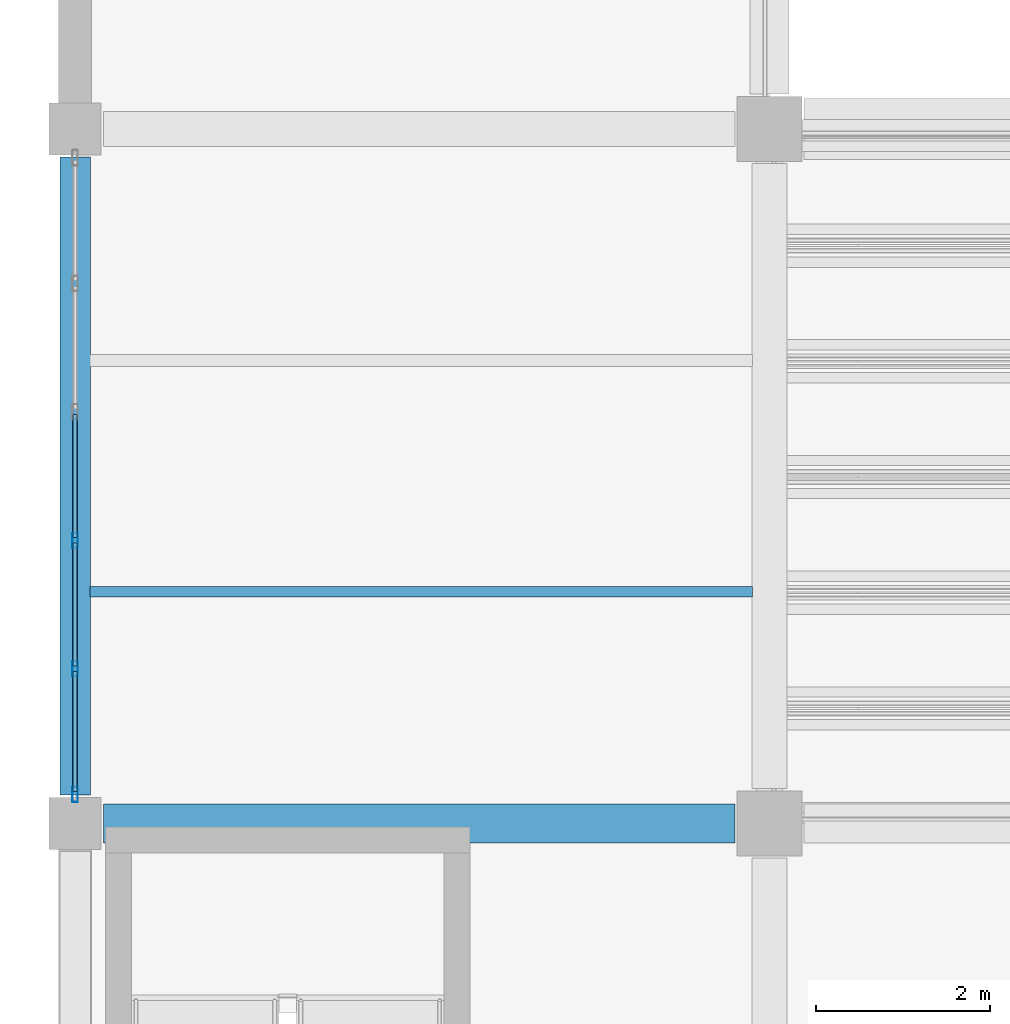
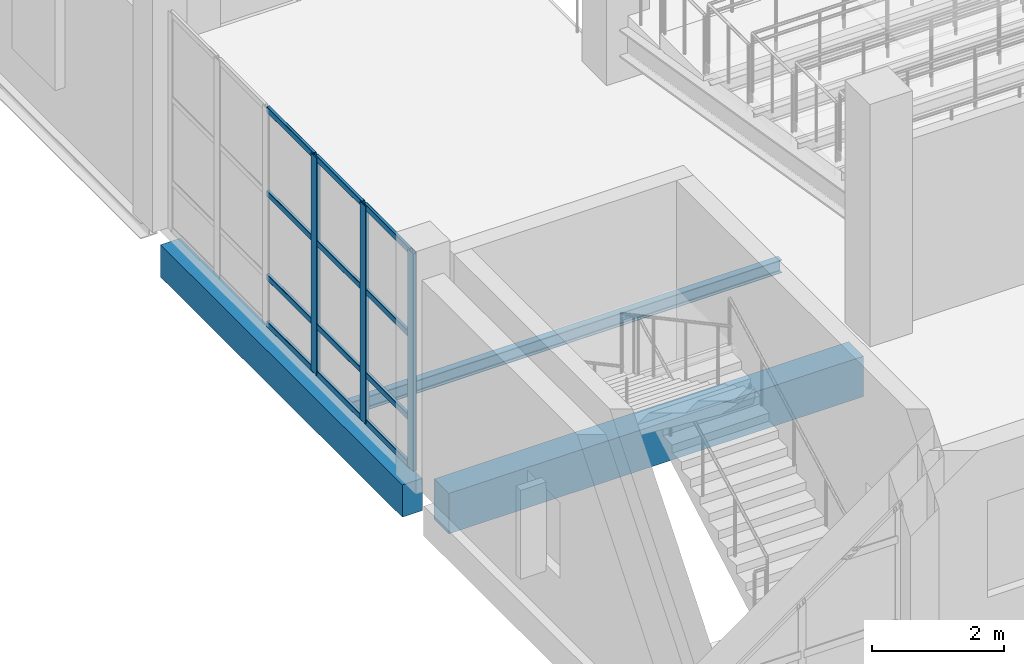
# One storey, part 38 of 183: 15 members, 3 beams, 1 element without a shape of its own.
"""IFC4 building model written with IfcOpenShell, lengths in metres."""

from ifc_helpers import new_model, si_unit, direction, frame, origin, origin_2d, place, context, subcontext, project, spatial, rectangle, hollow_rectangle, i_section, extrude, material, material_profile, profile_set, type_object, element, aggregate, save


model = new_model("IFC4")

# Units and contexts
model_context = context("Model", 3, precision=1e-05, world=origin(), true_north=direction((0.0, 1.0)))
body_context = subcontext(model_context, "Body", "Model", "MODEL_VIEW")
ifc_project = project(units=[si_unit("LENGTHUNIT", "METRE"), si_unit("AREAUNIT", "SQUARE_METRE"), si_unit("VOLUMEUNIT", "CUBIC_METRE"), si_unit("PLANEANGLEUNIT", "RADIAN"), si_unit("MASSUNIT", "GRAM", prefix="KILO")], contexts=[model_context])

# Site, building, storey
site_placement = place(None, origin())
site = spatial("IfcSite", under=ifc_project, at=site_placement, CompositionType="ELEMENT")
building_placement = place(site_placement, origin())
building = spatial("IfcBuilding", under=site, at=building_placement, Name="Luwemba Playhouse", CompositionType="ELEMENT")
storey_placement = place(building_placement, frame((0.0, 0.0, 4.800048828125)))
storey = spatial("IfcBuildingStorey", under=building, at=storey_placement, Name="L01", CompositionType="ELEMENT", Elevation=4.800048828125)

# Beams
ifc_material_1 = material(Name="Concrete C40/50", Category="concrete")
ifc_material_profile_1 = material_profile(ifc_material_1, rectangle(XDim=0.449951171875, YDim=0.75, at=origin_2d()))
ifc_profile_set_1 = profile_set([ifc_material_profile_1], Name="Concrete C40/50")
beam_type_1 = type_object("IfcBeamType", Name="BM-RB04", PredefinedType="BEAM", material=ifc_profile_set_1)
beam_1_placement = place(storey_placement, frame((4.324951171875, 44.0, -0.625), z_axis=(1.0, 0.0, 0.0), x_axis=(0.0, 1.0, 0.0)))
element("IfcBeam", 1, at=beam_1_placement, inside=storey, type_object=beam_type_1, Name="L01 grid girder 0345", PredefinedType="BEAM", context=body_context, shape_type="SweptSolid", body=[
    extrude(rectangle(XDim=0.449951171875, YDim=0.75, at=origin_2d()), origin(), (0.0, 0.0, 1.0), 7.275146484375),
])
ifc_material_2 = material(Name="Steel S355", Category="steel")
ifc_material_profile_2 = material_profile(ifc_material_2, i_section(OverallWidth=0.1201171875, OverallDepth=0.239990234375, WebThickness=0.006103515625, FlangeThickness=0.009765625, FilletRadius=0.014892578125, at=origin_2d()))
ifc_profile_set_2 = profile_set([ifc_material_profile_2], Name="Steel S355")
beam_type_2 = type_object("IfcBeamType", Name="BM-SJ03", PredefinedType="JOIST", material=ifc_profile_set_2)
beam_2_placement = place(storey_placement, frame((4.1708984375, 46.666748046875, -0.3701171875), z_axis=(1.0, 0.0, 0.0), x_axis=(0.0, 1.0, 0.0)))
element("IfcBeam", 2, at=beam_2_placement, inside=storey, type_object=beam_type_2, Name="L01 composite floor joist 0238", PredefinedType="JOIST", context=body_context, shape_type="SweptSolid", body=[
    extrude(i_section(OverallWidth=0.1201171875, OverallDepth=0.239990234375, WebThickness=0.006103515625, FlangeThickness=0.009765625, FilletRadius=0.014892578125, at=origin_2d()), origin(), (0.0, 0.0, 1.0), 7.633056640625),
])
ifc_material_profile_3 = material_profile(ifc_material_1, rectangle(XDim=0.35009765625, YDim=0.60009765625, at=origin_2d()))
ifc_profile_set_3 = profile_set([ifc_material_profile_3], Name="Concrete C40/50")
beam_type_3 = type_object("IfcBeamType", Name="BM-SP3", PredefinedType="SPANDREL", material=ifc_profile_set_3)
beam_3_placement = place(storey_placement, frame((4.0, 44.324951171875, -0.550048828125), z_axis=(0.0, 1.0, 0.0), x_axis=(-1.0, 0.0, 0.0)))
element("IfcBeam", 3, at=beam_3_placement, inside=storey, type_object=beam_type_3, Name="L01 transverse girder 0357", PredefinedType="SPANDREL", context=body_context, shape_type="SweptSolid", body=[
    extrude(rectangle(XDim=0.35009765625, YDim=0.60009765625, at=origin_2d()), origin(), (0.0, 0.0, 1.0), 7.35009765625),
])

# Curtain wall, members
ifc_material_3 = material(Name="Solar-control double glazing", Category="glass")
curtain_wall_type = type_object("IfcCurtainWallType", Name="CW-CW71", PredefinedType="USERDEFINED", material=ifc_material_3)
curtain_wall_placement = place(storey_placement, origin())
curtain_wall = element("IfcCurtainWall", 4, at=curtain_wall_placement, inside=storey, type_object=curtain_wall_type, Name="L01 V1 unitised curtain wall 095", ObjectType="UNITISED GLAZING", PredefinedType="USERDEFINED")
ifc_material_4 = material(Name="Aluminium 6063-T6", Category="aluminium")
ifc_material_profile_4 = material_profile(ifc_material_4, hollow_rectangle(XDim=0.06494140625, YDim=0.179931640625, WallThickness=0.00439453125, InnerFilletRadius=0.0068359375, OuterFilletRadius=0.01123046875, at=origin_2d()))
ifc_profile_set_4 = profile_set([ifc_material_profile_4], Name="Aluminium 6063-T6")
member_type_1 = type_object("IfcMemberType", Name="CWM-M2", PredefinedType="MULLION", material=ifc_profile_set_4)
member_1_placement = place(storey_placement, frame((4.0, 44.33251953125, 0.0), z_axis=(0.0, 0.0, 1.0), x_axis=(-1.0, 0.0, 0.0)))
member_1 = element("IfcMember", 5, at=member_1_placement, type_object=member_type_1, Name="CW71 mullion 1", PredefinedType="MULLION", context=body_context, shape_type="SweptSolid", body=[
    extrude(hollow_rectangle(XDim=0.06494140625, YDim=0.179931640625, WallThickness=0.00439453125, InnerFilletRadius=0.0068359375, OuterFilletRadius=0.01123046875, at=origin_2d()), origin(), (0.0, 0.0, 1.0), 4.034912109375),
])
member_2_placement = place(storey_placement, frame((4.0, 45.780029296875, 0.0), z_axis=(0.0, 0.0, 1.0), x_axis=(-1.0, 0.0, 0.0)))
member_2 = element("IfcMember", 6, at=member_2_placement, type_object=member_type_1, Name="CW71 mullion 2", PredefinedType="MULLION", context=body_context, shape_type="SweptSolid", body=[
    extrude(hollow_rectangle(XDim=0.06494140625, YDim=0.179931640625, WallThickness=0.00439453125, InnerFilletRadius=0.0068359375, OuterFilletRadius=0.01123046875, at=origin_2d()), origin(), (0.0, 0.0, 1.0), 4.034912109375),
])
member_3_placement = place(storey_placement, frame((4.0, 47.260009765625, 0.0), z_axis=(0.0, 0.0, 1.0), x_axis=(-1.0, 0.0, 0.0)))
member_3 = element("IfcMember", 7, at=member_3_placement, type_object=member_type_1, Name="CW71 mullion 3", PredefinedType="MULLION", context=body_context, shape_type="SweptSolid", body=[
    extrude(hollow_rectangle(XDim=0.06494140625, YDim=0.179931640625, WallThickness=0.00439453125, InnerFilletRadius=0.0068359375, OuterFilletRadius=0.01123046875, at=origin_2d()), origin(), (0.0, 0.0, 1.0), 4.034912109375),
])
ifc_material_profile_5 = material_profile(ifc_material_4, hollow_rectangle(XDim=0.054931640625, YDim=0.110107421875, WallThickness=0.00341796875, InnerFilletRadius=0.00537109375, OuterFilletRadius=0.0087890625, at=origin_2d()))
ifc_profile_set_5 = profile_set([ifc_material_profile_5], Name="Aluminium 6063-T6")
member_type_2 = type_object("IfcMemberType", Name="CWT-T2", PredefinedType="USERDEFINED", material=ifc_profile_set_5)
member_4_placement = place(storey_placement, frame((4.0, 44.364990234375, 0.02734375), z_axis=(0.0, 1.0, 0.0), x_axis=(-1.0, 0.0, 0.0)))
member_4 = element("IfcMember", 8, at=member_4_placement, type_object=member_type_2, Name="CW71 transom 1.1", ObjectType="TRANSOM", PredefinedType="USERDEFINED", context=body_context, shape_type="SweptSolid", body=[
    extrude(hollow_rectangle(XDim=0.054931640625, YDim=0.110107421875, WallThickness=0.00341796875, InnerFilletRadius=0.00537109375, OuterFilletRadius=0.0087890625, at=origin_2d()), origin(), (0.0, 0.0, 1.0), 1.382568359375),
])
member_5_placement = place(storey_placement, frame((4.0, 44.364990234375, 0.89990234375), z_axis=(0.0, 1.0, 0.0), x_axis=(-1.0, 0.0, 0.0)))
member_5 = element("IfcMember", 9, at=member_5_placement, type_object=member_type_2, Name="CW71 transom 1.2", ObjectType="TRANSOM", PredefinedType="USERDEFINED", context=body_context, shape_type="SweptSolid", body=[
    extrude(hollow_rectangle(XDim=0.054931640625, YDim=0.110107421875, WallThickness=0.00341796875, InnerFilletRadius=0.00537109375, OuterFilletRadius=0.0087890625, at=origin_2d()), origin(), (0.0, 0.0, 1.0), 1.382568359375),
])
member_6_placement = place(storey_placement, frame((4.0, 44.364990234375, 2.449951171875), z_axis=(0.0, 1.0, 0.0), x_axis=(-1.0, 0.0, 0.0)))
member_6 = element("IfcMember", 10, at=member_6_placement, type_object=member_type_2, Name="CW71 transom 1.3", ObjectType="TRANSOM", PredefinedType="USERDEFINED", context=body_context, shape_type="SweptSolid", body=[
    extrude(hollow_rectangle(XDim=0.054931640625, YDim=0.110107421875, WallThickness=0.00341796875, InnerFilletRadius=0.00537109375, OuterFilletRadius=0.0087890625, at=origin_2d()), origin(), (0.0, 0.0, 1.0), 1.382568359375),
])
member_7_placement = place(storey_placement, frame((4.0, 44.364990234375, 4.007568359375), z_axis=(0.0, 1.0, 0.0), x_axis=(-1.0, 0.0, 0.0)))
member_7 = element("IfcMember", 11, at=member_7_placement, type_object=member_type_2, Name="CW71 transom 1.4", ObjectType="TRANSOM", PredefinedType="USERDEFINED", context=body_context, shape_type="SweptSolid", body=[
    extrude(hollow_rectangle(XDim=0.054931640625, YDim=0.110107421875, WallThickness=0.00341796875, InnerFilletRadius=0.00537109375, OuterFilletRadius=0.0087890625, at=origin_2d()), origin(), (0.0, 0.0, 1.0), 1.382568359375),
])
member_8_placement = place(storey_placement, frame((4.0, 45.8125, 0.02734375), z_axis=(0.0, 1.0, 0.0), x_axis=(-1.0, 0.0, 0.0)))
member_8 = element("IfcMember", 12, at=member_8_placement, type_object=member_type_2, Name="CW71 transom 2.1", ObjectType="TRANSOM", PredefinedType="USERDEFINED", context=body_context, shape_type="SweptSolid", body=[
    extrude(hollow_rectangle(XDim=0.054931640625, YDim=0.110107421875, WallThickness=0.00341796875, InnerFilletRadius=0.00537109375, OuterFilletRadius=0.0087890625, at=origin_2d()), origin(), (0.0, 0.0, 1.0), 1.4150390625),
])
member_9_placement = place(storey_placement, frame((4.0, 45.8125, 0.89990234375), z_axis=(0.0, 1.0, 0.0), x_axis=(-1.0, 0.0, 0.0)))
member_9 = element("IfcMember", 13, at=member_9_placement, type_object=member_type_2, Name="CW71 transom 2.2", ObjectType="TRANSOM", PredefinedType="USERDEFINED", context=body_context, shape_type="SweptSolid", body=[
    extrude(hollow_rectangle(XDim=0.054931640625, YDim=0.110107421875, WallThickness=0.00341796875, InnerFilletRadius=0.00537109375, OuterFilletRadius=0.0087890625, at=origin_2d()), origin(), (0.0, 0.0, 1.0), 1.4150390625),
])
member_10_placement = place(storey_placement, frame((4.0, 45.8125, 2.449951171875), z_axis=(0.0, 1.0, 0.0), x_axis=(-1.0, 0.0, 0.0)))
member_10 = element("IfcMember", 14, at=member_10_placement, type_object=member_type_2, Name="CW71 transom 2.3", ObjectType="TRANSOM", PredefinedType="USERDEFINED", context=body_context, shape_type="SweptSolid", body=[
    extrude(hollow_rectangle(XDim=0.054931640625, YDim=0.110107421875, WallThickness=0.00341796875, InnerFilletRadius=0.00537109375, OuterFilletRadius=0.0087890625, at=origin_2d()), origin(), (0.0, 0.0, 1.0), 1.4150390625),
])
member_11_placement = place(storey_placement, frame((4.0, 45.8125, 4.007568359375), z_axis=(0.0, 1.0, 0.0), x_axis=(-1.0, 0.0, 0.0)))
member_11 = element("IfcMember", 15, at=member_11_placement, type_object=member_type_2, Name="CW71 transom 2.4", ObjectType="TRANSOM", PredefinedType="USERDEFINED", context=body_context, shape_type="SweptSolid", body=[
    extrude(hollow_rectangle(XDim=0.054931640625, YDim=0.110107421875, WallThickness=0.00341796875, InnerFilletRadius=0.00537109375, OuterFilletRadius=0.0087890625, at=origin_2d()), origin(), (0.0, 0.0, 1.0), 1.4150390625),
])
member_12_placement = place(storey_placement, frame((4.0, 47.29248046875, 0.02734375), z_axis=(0.0, 1.0, 0.0), x_axis=(-1.0, 0.0, 0.0)))
member_12 = element("IfcMember", 16, at=member_12_placement, type_object=member_type_2, Name="CW71 transom 3.1", ObjectType="TRANSOM", PredefinedType="USERDEFINED", context=body_context, shape_type="SweptSolid", body=[
    extrude(hollow_rectangle(XDim=0.054931640625, YDim=0.110107421875, WallThickness=0.00341796875, InnerFilletRadius=0.00537109375, OuterFilletRadius=0.0087890625, at=origin_2d()), origin(), (0.0, 0.0, 1.0), 1.4150390625),
])
member_13_placement = place(storey_placement, frame((4.0, 47.29248046875, 0.89990234375), z_axis=(0.0, 1.0, 0.0), x_axis=(-1.0, 0.0, 0.0)))
member_13 = element("IfcMember", 17, at=member_13_placement, type_object=member_type_2, Name="CW71 transom 3.2", ObjectType="TRANSOM", PredefinedType="USERDEFINED", context=body_context, shape_type="SweptSolid", body=[
    extrude(hollow_rectangle(XDim=0.054931640625, YDim=0.110107421875, WallThickness=0.00341796875, InnerFilletRadius=0.00537109375, OuterFilletRadius=0.0087890625, at=origin_2d()), origin(), (0.0, 0.0, 1.0), 1.4150390625),
])
member_14_placement = place(storey_placement, frame((4.0, 47.29248046875, 2.449951171875), z_axis=(0.0, 1.0, 0.0), x_axis=(-1.0, 0.0, 0.0)))
member_14 = element("IfcMember", 18, at=member_14_placement, type_object=member_type_2, Name="CW71 transom 3.3", ObjectType="TRANSOM", PredefinedType="USERDEFINED", context=body_context, shape_type="SweptSolid", body=[
    extrude(hollow_rectangle(XDim=0.054931640625, YDim=0.110107421875, WallThickness=0.00341796875, InnerFilletRadius=0.00537109375, OuterFilletRadius=0.0087890625, at=origin_2d()), origin(), (0.0, 0.0, 1.0), 1.4150390625),
])
member_15_placement = place(storey_placement, frame((4.0, 47.29248046875, 4.007568359375), z_axis=(0.0, 1.0, 0.0), x_axis=(-1.0, 0.0, 0.0)))
member_15 = element("IfcMember", 19, at=member_15_placement, type_object=member_type_2, Name="CW71 transom 3.4", ObjectType="TRANSOM", PredefinedType="USERDEFINED", context=body_context, shape_type="SweptSolid", body=[
    extrude(hollow_rectangle(XDim=0.054931640625, YDim=0.110107421875, WallThickness=0.00341796875, InnerFilletRadius=0.00537109375, OuterFilletRadius=0.0087890625, at=origin_2d()), origin(), (0.0, 0.0, 1.0), 1.4150390625),
])
aggregate(curtain_wall, [member_1, member_2, member_3, member_4, member_5, member_6, member_7, member_8, member_9, member_10, member_11, member_12, member_13, member_14, member_15])

save(model, "model.ifc")
